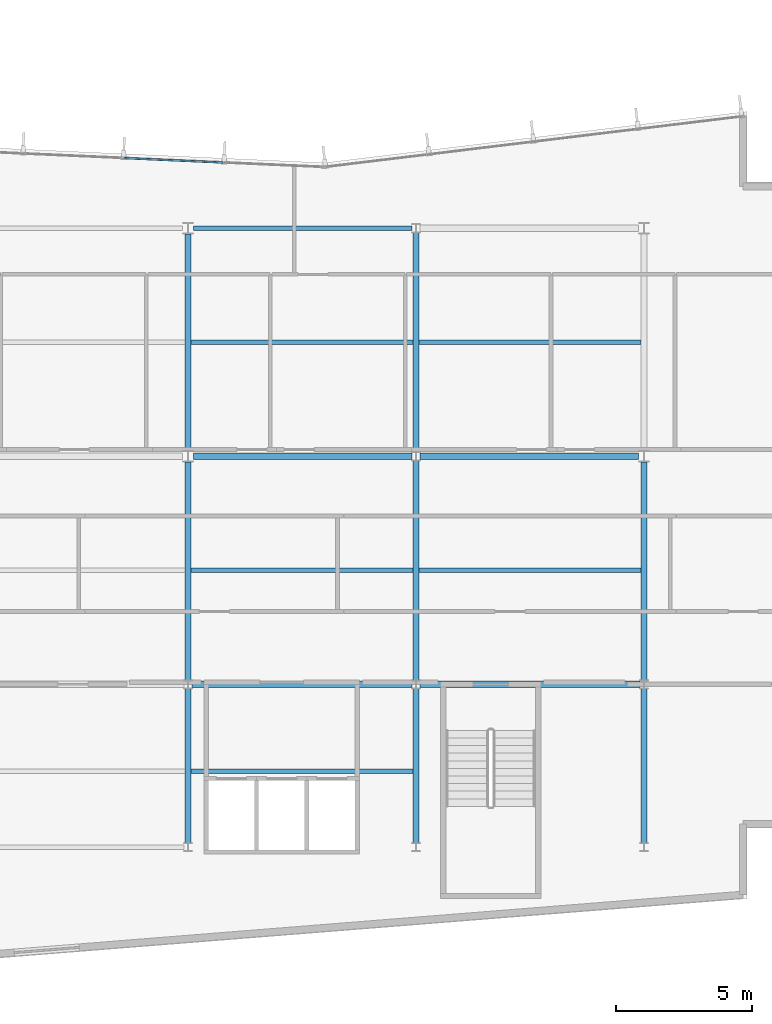
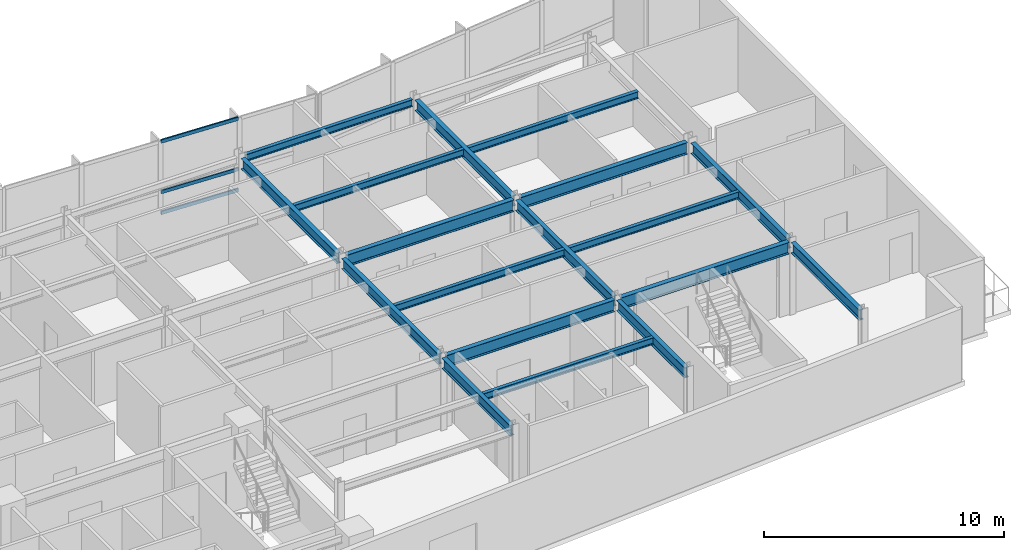
# One storey, part 6 of 18: 18 beams, 3 members, 1 element without a shape of its own.
"""IFC4 building model written with IfcOpenShell, lengths in metres."""

from ifc_helpers import new_model, si_unit, direction, frame, origin, origin_2d, place, context, subcontext, project, spatial, hollow_rectangle, i_section, extrude, material, layer, layer_set, material_profile, profile_set, type_object, element, aggregate, save


model = new_model("IFC4")

# Units and contexts
model_context = context("Model", 3, precision=1e-05, world=origin(), true_north=direction((0.0, 1.0)))
body_context = subcontext(model_context, "Body", "Model", "MODEL_VIEW")
ifc_project = project(units=[si_unit("LENGTHUNIT", "METRE"), si_unit("AREAUNIT", "SQUARE_METRE"), si_unit("VOLUMEUNIT", "CUBIC_METRE"), si_unit("PLANEANGLEUNIT", "RADIAN"), si_unit("MASSUNIT", "GRAM", prefix="KILO")], contexts=[model_context])

# Site, building, storey
site_placement = place(None, origin())
site = spatial("IfcSite", under=ifc_project, at=site_placement, CompositionType="ELEMENT")
building_placement = place(site_placement, origin())
building = spatial("IfcBuilding", under=site, at=building_placement, Name="Varnakote Quay Hospital", CompositionType="ELEMENT")
storey_placement = place(building_placement, frame((0.0, 0.0, 150.75)))
storey = spatial("IfcBuildingStorey", under=building, at=storey_placement, Name="L37", CompositionType="ELEMENT", Elevation=150.75)

# Beams
ifc_material_1 = material(Name="Structural steel AS/NZS 3679.1 Grade 350 L0 (fy 340 MPa)", Category="steel")
ifc_material_profile_1 = material_profile(ifc_material_1, i_section(OverallWidth=0.208984375, OverallDepth=0.532958984375, WebThickness=0.01025390625, FlangeThickness=0.015625, FilletRadius=0.013916015625, at=origin_2d()), Name="530UB92.4")
ifc_profile_set_1 = profile_set([ifc_material_profile_1], Name="Structural steel AS/NZS 3679.1 Grade 350 L0 (fy 340 MPa)")
beam_type_1 = type_object("IfcBeamType", Name="BM-STL-530UB92-4", PredefinedType="BEAM", material=ifc_profile_set_1)
beam_1_placement = place(storey_placement, frame((33.60009765625, 6.157470703125, 3.443603515625), z_axis=(0.0, 1.0, 0.0), x_axis=(-1.0, 0.0, 0.0)))
element("IfcBeam", 1, at=beam_1_placement, inside=storey, type_object=beam_type_1, Name="L37 Primary Tie Beam", PredefinedType="BEAM", context=body_context, shape_type="SweptSolid", body=[
    extrude(i_section(OverallWidth=0.208984375, OverallDepth=0.532958984375, WebThickness=0.01025390625, FlangeThickness=0.015625, FilletRadius=0.013916015625, at=origin_2d()), origin(), (0.0, 0.0, 1.0), 5.68505859375),
])
beam_2_placement = place(storey_placement, frame((33.60009765625, 12.157470703125, 3.443603515625), z_axis=(0.0, 1.0, 0.0), x_axis=(-1.0, 0.0, 0.0)))
element("IfcBeam", 2, at=beam_2_placement, inside=storey, type_object=beam_type_1, Name="L37 Primary Tie Beam", PredefinedType="BEAM", context=body_context, shape_type="SweptSolid", body=[
    extrude(i_section(OverallWidth=0.208984375, OverallDepth=0.532958984375, WebThickness=0.01025390625, FlangeThickness=0.015625, FilletRadius=0.013916015625, at=origin_2d()), origin(), (0.0, 0.0, 1.0), 8.032470703125),
])
beam_3_placement = place(storey_placement, frame((33.60009765625, 20.610107421875, 3.443603515625), z_axis=(0.0, 1.0, 0.0), x_axis=(-1.0, 0.0, 0.0)))
element("IfcBeam", 3, at=beam_3_placement, inside=storey, type_object=beam_type_1, Name="L37 Primary Tie Beam", PredefinedType="BEAM", context=body_context, shape_type="SweptSolid", body=[
    extrude(i_section(OverallWidth=0.208984375, OverallDepth=0.532958984375, WebThickness=0.01025390625, FlangeThickness=0.015625, FilletRadius=0.013916015625, at=origin_2d()), origin(), (0.0, 0.0, 1.0), 7.97998046875),
])
beam_4_placement = place(storey_placement, frame((42.0, 6.157470703125, 3.443603515625), z_axis=(0.0, 1.0, 0.0), x_axis=(-1.0, 0.0, 0.0)))
element("IfcBeam", 4, at=beam_4_placement, inside=storey, type_object=beam_type_1, Name="L37 Primary Tie Beam", PredefinedType="BEAM", context=body_context, shape_type="SweptSolid", body=[
    extrude(i_section(OverallWidth=0.208984375, OverallDepth=0.532958984375, WebThickness=0.01025390625, FlangeThickness=0.015625, FilletRadius=0.013916015625, at=origin_2d()), origin(), (0.0, 0.0, 1.0), 5.68505859375),
])
for number, where, z_axis, x_axis, name in (
    (5, (42.0, 12.157470703125, 3.443603515625), (0.0, 1.0, 0.0), (-1.0, 0.0, 0.0), "L37 Primary Tie Beam"),
    (6, (42.0, 20.5576171875, 3.443603515625), (0.0, 1.0, 0.0), (-1.0, 0.0, 0.0), "L37 Primary Tie Beam"),
):
    element("IfcBeam", number, at=place(storey_placement, frame(where, z_axis=z_axis, x_axis=x_axis)), inside=storey, type_object=beam_type_1, Name=name, PredefinedType="BEAM", context=body_context, shape_type="SweptSolid", body=[
        extrude(i_section(OverallWidth=0.208984375, OverallDepth=0.532958984375, WebThickness=0.01025390625, FlangeThickness=0.015625, FilletRadius=0.013916015625, at=origin_2d()), origin(), (0.0, 0.0, 1.0), 8.0849609375),
    ])
beam_5_placement = place(storey_placement, frame((50.39990234375, 6.157470703125, 3.443603515625), z_axis=(0.0, 1.0, 0.0), x_axis=(-1.0, 0.0, 0.0)))
element("IfcBeam", 7, at=beam_5_placement, inside=storey, type_object=beam_type_1, Name="L37 Primary Tie Beam", PredefinedType="BEAM", context=body_context, shape_type="SweptSolid", body=[
    extrude(i_section(OverallWidth=0.208984375, OverallDepth=0.532958984375, WebThickness=0.01025390625, FlangeThickness=0.015625, FilletRadius=0.013916015625, at=origin_2d()), origin(), (0.0, 0.0, 1.0), 5.68505859375),
])
beam_6_placement = place(storey_placement, frame((50.39990234375, 12.157470703125, 3.443603515625), z_axis=(0.0, 1.0, 0.0), x_axis=(-1.0, 0.0, 0.0)))
element("IfcBeam", 8, at=beam_6_placement, inside=storey, type_object=beam_type_1, Name="L37 Primary Tie Beam", PredefinedType="BEAM", context=body_context, shape_type="SweptSolid", body=[
    extrude(i_section(OverallWidth=0.208984375, OverallDepth=0.532958984375, WebThickness=0.01025390625, FlangeThickness=0.015625, FilletRadius=0.013916015625, at=origin_2d()), origin(), (0.0, 0.0, 1.0), 8.032470703125),
])
ifc_material_2 = material(Name="Structural steel AS/NZS 3679.1 Grade 350 L0 (fy 340 MPa)", Category="steel")
ifc_material_profile_2 = material_profile(ifc_material_2, i_section(OverallWidth=0.22802734375, OverallDepth=0.60205078125, WebThickness=0.010498046875, FlangeThickness=0.014892578125, FilletRadius=0.013916015625, at=origin_2d()), Name="610UB101")
ifc_profile_set_2 = profile_set([ifc_material_profile_2], Name="Structural steel AS/NZS 3679.1 Grade 350 L0 (fy 340 MPa)")
beam_type_2 = type_object("IfcBeamType", Name="BM-STL-610UB101", PredefinedType="BEAM", material=ifc_profile_set_2)
for number, where, z_axis, x_axis, name in (
    (9, (33.75341796875, 12.0, 3.408935546875), (1.0, 0.0, 0.0), (0.0, 1.0, 0.0), "L37 Primary Floor Beam"),
    (10, (42.153564453125, 12.0, 3.408935546875), (1.0, 0.0, 0.0), (0.0, 1.0, 0.0), "L37 Primary Floor Beam"),
):
    element("IfcBeam", number, at=place(storey_placement, frame(where, z_axis=z_axis, x_axis=x_axis)), inside=storey, type_object=beam_type_2, Name=name, PredefinedType="BEAM", context=body_context, shape_type="SweptSolid", body=[
        extrude(i_section(OverallWidth=0.22802734375, OverallDepth=0.60205078125, WebThickness=0.010498046875, FlangeThickness=0.014892578125, FilletRadius=0.013916015625, at=origin_2d()), origin(), (0.0, 0.0, 1.0), 8.093017578125),
    ])
for number, where, z_axis, x_axis, name in (
    (11, (33.800048828125, 20.39990234375, 3.408935546875), (1.0, 0.0, 0.0), (0.0, 1.0, 0.0), "L37 Primary Floor Beam"),
    (12, (42.153564453125, 20.39990234375, 3.408935546875), (1.0, 0.0, 0.0), (0.0, 1.0, 0.0), "L37 Primary Floor Beam"),
):
    element("IfcBeam", number, at=place(storey_placement, frame(where, z_axis=z_axis, x_axis=x_axis)), inside=storey, type_object=beam_type_2, Name=name, PredefinedType="BEAM", context=body_context, shape_type="SweptSolid", body=[
        extrude(i_section(OverallWidth=0.22802734375, OverallDepth=0.60205078125, WebThickness=0.010498046875, FlangeThickness=0.014892578125, FilletRadius=0.013916015625, at=origin_2d()), origin(), (0.0, 0.0, 1.0), 8.04638671875),
    ])

# Curtain wall, members
ifc_material_3 = material(Name="Anodised aluminium 6063-T6 Bronze", Category="aluminium")
ifc_layer = layer(ifc_material_3, 0.205078125)
ifc_layer_set = layer_set([ifc_layer], Name="Anodised aluminium 6063-T6 Bronze")
curtain_wall_type = type_object("IfcCurtainWallType", Name="CW-SYS-3", PredefinedType="NOTDEFINED", material=ifc_layer_set)
curtain_wall_placement = place(storey_placement, origin())
curtain_wall = element("IfcCurtainWall", 13, at=curtain_wall_placement, inside=storey, type_object=curtain_wall_type, Name="L37 Unitised Bronze Curtain Wall 2", PredefinedType="NOTDEFINED")
ifc_material_4 = material(Name="Anodised aluminium 6063-T6 Bronze", Category="aluminium")
ifc_material_profile_3 = material_profile(ifc_material_4, hollow_rectangle(XDim=0.074951171875, YDim=0.179931640625, WallThickness=0.004150390625, InnerFilletRadius=0.004150390625, OuterFilletRadius=0.00830078125, at=origin_2d()), Name="CW-TRAN-180x75")
ifc_profile_set_3 = profile_set([ifc_material_profile_3], Name="Anodised aluminium 6063-T6 Bronze")
member_type = type_object("IfcMemberType", Name="CW-TRAN-180x75", PredefinedType="USERDEFINED", material=ifc_profile_set_3)
member_1_placement = place(storey_placement, frame((34.8896484375, 31.21923828125, 0.03759765625), z_axis=(-0.99899730508, 0.044770352277, 0.0), x_axis=(-0.044770352277, -0.99899730508, 0.0)))
member_1 = element("IfcMember", 14, at=member_1_placement, type_object=member_type, Name="-3-L37-2 transom 2.1", ObjectType="TRANSOM", PredefinedType="USERDEFINED", context=body_context, shape_type="SweptSolid", body=[
    extrude(hollow_rectangle(XDim=0.074951171875, YDim=0.179931640625, WallThickness=0.004150390625, InnerFilletRadius=0.004150390625, OuterFilletRadius=0.00830078125, at=origin_2d()), origin(), (0.0, 0.0, 1.0), 3.6318359375),
])
member_2_placement = place(storey_placement, frame((34.8896484375, 31.21923828125, 1.10009765625), z_axis=(-0.99899730508, 0.044770352277, 0.0), x_axis=(-0.044770352277, -0.99899730508, 0.0)))
member_2 = element("IfcMember", 15, at=member_2_placement, type_object=member_type, Name="-3-L37-2 transom 2.2", ObjectType="TRANSOM", PredefinedType="USERDEFINED", context=body_context, shape_type="SweptSolid", body=[
    extrude(hollow_rectangle(XDim=0.074951171875, YDim=0.179931640625, WallThickness=0.004150390625, InnerFilletRadius=0.004150390625, OuterFilletRadius=0.00830078125, at=origin_2d()), origin(), (0.0, 0.0, 1.0), 3.6318359375),
])
member_3_placement = place(storey_placement, frame((34.8896484375, 31.21923828125, 3.672607421875), z_axis=(-0.99899730508, 0.044770352277, 0.0), x_axis=(-0.044770352277, -0.99899730508, 0.0)))
member_3 = element("IfcMember", 16, at=member_3_placement, type_object=member_type, Name="-3-L37-2 transom 2.3", ObjectType="TRANSOM", PredefinedType="USERDEFINED", context=body_context, shape_type="SweptSolid", body=[
    extrude(hollow_rectangle(XDim=0.074951171875, YDim=0.179931640625, WallThickness=0.004150390625, InnerFilletRadius=0.004150390625, OuterFilletRadius=0.00830078125, at=origin_2d()), origin(), (0.0, 0.0, 1.0), 3.6318359375),
])
aggregate(curtain_wall, [member_1, member_2, member_3])

# Beams
ifc_material_5 = material(Name="Structural steel AS/NZS 3679.1 Grade 350 L0 (fy 340 MPa)", Category="steel")
ifc_material_profile_4 = material_profile(ifc_material_5, i_section(OverallWidth=0.1708984375, OverallDepth=0.35595703125, WebThickness=0.00732421875, FlangeThickness=0.011474609375, FilletRadius=0.011474609375, at=origin_2d()), Name="360UB50.7")
ifc_profile_set_4 = profile_set([ifc_material_profile_4], Name="Structural steel AS/NZS 3679.1 Grade 350 L0 (fy 340 MPa)")
beam_type_3 = type_object("IfcBeamType", Name="JST-STL-360UB50-7", PredefinedType="JOIST", material=ifc_profile_set_4)
for number, where, z_axis, x_axis, name in (
    (17, (33.70458984375, 8.800048828125, 3.531982421875), (1.0, 0.0, 0.0), (0.0, 1.0, 0.0), "L37 Composite Floor Joist"),
    (18, (33.70458984375, 16.199951171875, 3.531982421875), (1.0, 0.0, 0.0), (0.0, 1.0, 0.0), "L37 Composite Floor Joist"),
    (19, (42.1044921875, 16.199951171875, 3.531982421875), (1.0, 0.0, 0.0), (0.0, 1.0, 0.0), "L37 Composite Floor Joist"),
    (20, (33.70458984375, 24.60009765625, 3.531982421875), (1.0, 0.0, 0.0), (0.0, 1.0, 0.0), "L37 Composite Floor Joist"),
    (21, (42.1044921875, 24.60009765625, 3.531982421875), (1.0, 0.0, 0.0), (0.0, 1.0, 0.0), "L37 Composite Floor Joist"),
):
    element("IfcBeam", number, at=place(storey_placement, frame(where, z_axis=z_axis, x_axis=x_axis)), inside=storey, type_object=beam_type_3, Name=name, PredefinedType="JOIST", context=body_context, shape_type="SweptSolid", body=[
        extrude(i_section(OverallWidth=0.1708984375, OverallDepth=0.35595703125, WebThickness=0.00732421875, FlangeThickness=0.011474609375, FilletRadius=0.011474609375, at=origin_2d()), origin(), (0.0, 0.0, 1.0), 8.19091796875),
    ])
ifc_material_6 = material(Name="Structural steel AS/NZS 3679.1 Grade 350 L0 (fy 340 MPa)", Category="steel")
ifc_material_profile_5 = material_profile(ifc_material_6, i_section(OverallWidth=0.172119140625, OverallDepth=0.35888671875, WebThickness=0.008056640625, FlangeThickness=0.012939453125, FilletRadius=0.011474609375, at=origin_2d()), Name="360UB56.7")
ifc_profile_set_5 = profile_set([ifc_material_profile_5], Name="Structural steel AS/NZS 3679.1 Grade 350 L0 (fy 340 MPa)")
beam_type_4 = type_object("IfcBeamType", Name="SPN-STL-360UB56-7", PredefinedType="SPANDREL", material=ifc_profile_set_5)
beam_7_placement = place(storey_placement, frame((33.800048828125, 28.800048828125, 3.530517578125), z_axis=(1.0, 0.0, 0.0), x_axis=(0.0, 1.0, 0.0)))
element("IfcBeam", 22, at=beam_7_placement, inside=storey, type_object=beam_type_4, Name="L37 Perimeter Spandrel Beam", PredefinedType="SPANDREL", context=body_context, shape_type="SweptSolid", body=[
    extrude(i_section(OverallWidth=0.172119140625, OverallDepth=0.35888671875, WebThickness=0.008056640625, FlangeThickness=0.012939453125, FilletRadius=0.011474609375, at=origin_2d()), origin(), (0.0, 0.0, 1.0), 8.04638671875),
])

save(model, "model.ifc")
